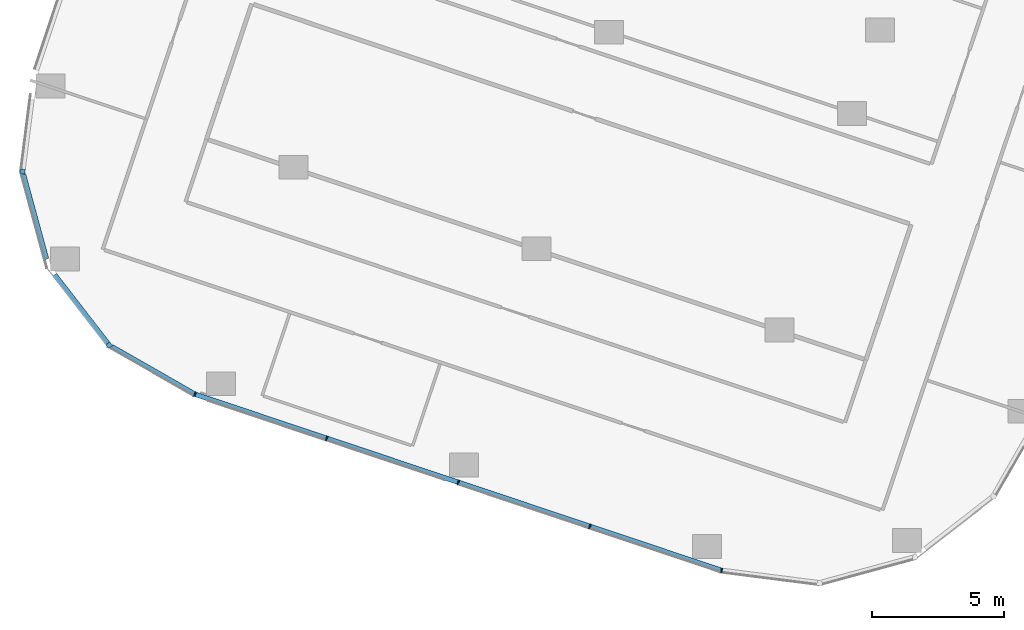
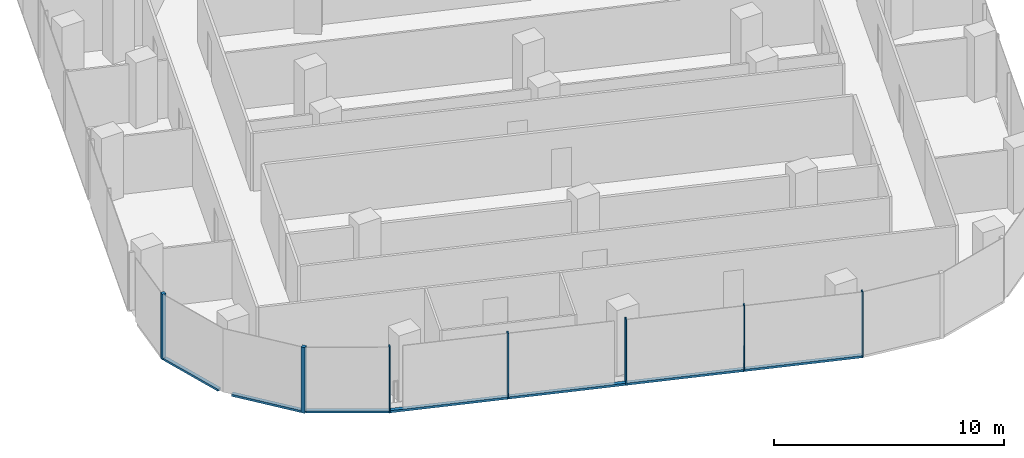
# One storey, part 2 of 26: 11 members, 5 elements without a shape of their own.
"""IFC4 building model written with IfcOpenShell, lengths in metres."""

from ifc_helpers import new_model, si_unit, direction, frame, origin, origin_2d, place, context, subcontext, project, spatial, rectangle, extrude, material, material_profile, profile_set, type_object, element, aggregate, save


model = new_model("IFC4")

# Units and contexts
model_context = context("Model", 3, precision=1e-05, world=origin(), true_north=direction((0.0, 1.0)))
body_context = subcontext(model_context, "Body", "Model", "MODEL_VIEW")
ifc_project = project(units=[si_unit("LENGTHUNIT", "METRE"), si_unit("AREAUNIT", "SQUARE_METRE"), si_unit("VOLUMEUNIT", "CUBIC_METRE"), si_unit("PLANEANGLEUNIT", "RADIAN"), si_unit("MASSUNIT", "GRAM", prefix="KILO")], contexts=[model_context])

# Site, building, storey
site_placement = place(None, origin())
site = spatial("IfcSite", under=ifc_project, at=site_placement, CompositionType="ELEMENT")
building_placement = place(site_placement, origin())
building = spatial("IfcBuilding", under=site, at=building_placement, Name="Orlundy Tower", CompositionType="ELEMENT")
storey_placement = place(building_placement, frame((0.0, 0.0, 156.10009765625)))
storey = spatial("IfcBuildingStorey", under=building, at=storey_placement, Name="L40", CompositionType="ELEMENT", Elevation=156.10009765625)

# Curtain wall, member
ifc_material_1 = material(Name="Aluminium bronze anodised", Category="aluminium")
curtain_wall_type = type_object("IfcCurtainWallType", Name="CW1 wall", PredefinedType="NOTDEFINED", material=ifc_material_1)
curtain_wall_1_placement = place(storey_placement, origin())
curtain_wall_1 = element("IfcCurtainWall", 1, at=curtain_wall_1_placement, inside=storey, type_object=curtain_wall_type, Name="CW1 run 025", PredefinedType="NOTDEFINED")
ifc_material_2 = material(Name="Aluminium bronze anodised", Category="aluminium")
ifc_material_profile_1 = material_profile(ifc_material_2, rectangle(XDim=0.179931640625, YDim=0.179931640625, at=origin_2d()), Name="CW1 corner post 180x180")
ifc_profile_set_1 = profile_set([ifc_material_profile_1], Name="Aluminium bronze anodised")
member_type_1 = type_object("IfcMemberType", Name="CW1 corner post 180x180", PredefinedType="MULLION", material=ifc_profile_set_1)
member_1_placement = place(storey_placement, frame((-32.115234375, -51.3232421875, -0.400146484375), z_axis=(0.0, 0.0, 1.0), x_axis=(-0.790614183516, -0.61231463548, 0.0)))
member_1 = element("IfcMember", 2, at=member_1_placement, type_object=member_type_1, Name="CW1 mullion 58", PredefinedType="MULLION", context=body_context, shape_type="SweptSolid", body=[
    extrude(rectangle(XDim=0.179931640625, YDim=0.179931640625, at=origin_2d()), origin(), (0.0, 0.0, 1.0), 3.5),
])

curtain_wall_2_placement = place(storey_placement, origin())
curtain_wall_2 = element("IfcCurtainWall", 3, at=curtain_wall_2_placement, inside=storey, type_object=curtain_wall_type, Name="CW1 run 027", PredefinedType="NOTDEFINED")
member_2_placement = place(storey_placement, frame((-35.390625, -44.75341796875, -0.400146484375), z_axis=(0.0, 0.0, 1.0), x_axis=(-0.992031053136, 0.125993609416, 0.0)))
member_2 = element("IfcMember", 4, at=member_2_placement, type_object=member_type_1, Name="CW1 mullion 60", PredefinedType="MULLION", context=body_context, shape_type="SweptSolid", body=[
    extrude(rectangle(XDim=0.179931640625, YDim=0.179931640625, at=origin_2d()), origin(), (0.0, 0.0, 1.0), 3.5),
])
aggregate(curtain_wall_2, [member_2])

# Curtain wall, members
curtain_wall_3_placement = place(storey_placement, origin())
curtain_wall_3 = element("IfcCurtainWall", 5, at=curtain_wall_3_placement, inside=storey, type_object=curtain_wall_type, Name="CW1 run 023", PredefinedType="NOTDEFINED")
ifc_material_3 = material(Name="Aluminium bronze anodised", Category="aluminium")
ifc_material_profile_2 = material_profile(ifc_material_3, rectangle(XDim=0.179931640625, YDim=0.050048828125, at=origin_2d()), Name="CW1 mullion 50x180")
ifc_profile_set_2 = profile_set([ifc_material_profile_2], Name="Aluminium bronze anodised")
member_type_2 = type_object("IfcMemberType", Name="CW1 mullion 50x180", PredefinedType="MULLION", material=ifc_profile_set_2)
member_3_placement = place(storey_placement, frame((-8.942138671875, -59.84521484375, -0.400146484375), z_axis=(0.0, 0.0, 1.0), x_axis=(-0.222844071431, -0.974854101816, 0.0)))
member_3 = element("IfcMember", 6, at=member_3_placement, type_object=member_type_2, Name="CW1 mullion 53", PredefinedType="MULLION", context=body_context, shape_type="SweptSolid", body=[
    extrude(rectangle(XDim=0.179931640625, YDim=0.050048828125, at=origin_2d()), origin(), (0.0, 0.0, 1.0), 3.5),
])
member_4_placement = place(storey_placement, frame((-13.92919921875, -58.176513671875, -0.400146484375), z_axis=(0.0, 0.0, 1.0), x_axis=(-0.317284709186, -0.948330329219, 0.0)))
member_4 = element("IfcMember", 7, at=member_4_placement, type_object=member_type_2, Name="CW1 mullion 54", PredefinedType="MULLION", context=body_context, shape_type="SweptSolid", body=[
    extrude(rectangle(XDim=0.179931640625, YDim=0.050048828125, at=origin_2d()), origin(), (0.0, 0.0, 1.0), 3.5),
])
member_5_placement = place(storey_placement, frame((-18.907958984375, -56.5107421875, -0.400146484375), z_axis=(0.0, 0.0, 1.0), x_axis=(-0.317284709186, -0.948330329219, 0.0)))
member_5 = element("IfcMember", 8, at=member_5_placement, type_object=member_type_2, Name="CW1 mullion 55", PredefinedType="MULLION", context=body_context, shape_type="SweptSolid", body=[
    extrude(rectangle(XDim=0.179931640625, YDim=0.050048828125, at=origin_2d()), origin(), (0.0, 0.0, 1.0), 3.5),
])
member_6_placement = place(storey_placement, frame((-23.88671875, -54.84521484375, -0.400146484375), z_axis=(0.0, 0.0, 1.0), x_axis=(-0.317284709186, -0.948330329219, 0.0)))
member_6 = element("IfcMember", 9, at=member_6_placement, type_object=member_type_2, Name="CW1 mullion 56", PredefinedType="MULLION", context=body_context, shape_type="SweptSolid", body=[
    extrude(rectangle(XDim=0.179931640625, YDim=0.050048828125, at=origin_2d()), origin(), (0.0, 0.0, 1.0), 3.5),
])

# Curtain wall, member
curtain_wall_4_placement = place(storey_placement, origin())
curtain_wall_4 = element("IfcCurtainWall", 10, at=curtain_wall_4_placement, inside=storey, type_object=curtain_wall_type, Name="CW1 run 024", PredefinedType="NOTDEFINED")
member_7_placement = place(storey_placement, frame((-28.8740234375, -53.176513671875, -0.400146484375), z_axis=(0.0, 0.0, 1.0), x_axis=(-0.408800504926, -0.912623770878, 0.0)))
member_7 = element("IfcMember", 11, at=member_7_placement, type_object=member_type_2, Name="CW1 mullion 57", PredefinedType="MULLION", context=body_context, shape_type="SweptSolid", body=[
    extrude(rectangle(XDim=0.179931640625, YDim=0.050048828125, at=origin_2d()), origin(), (0.0, 0.0, 1.0), 3.5),
])

# Member
ifc_material_4 = material(Name="Aluminium bronze anodised", Category="aluminium")
ifc_material_profile_3 = material_profile(ifc_material_4, rectangle(XDim=0.179931640625, YDim=0.1201171875, at=origin_2d()), Name="CW1 transom 180x120")
ifc_profile_set_3 = profile_set([ifc_material_profile_3], Name="Aluminium bronze anodised")
member_type_3 = type_object("IfcMemberType", Name="CW1 transom 180x120", PredefinedType="USERDEFINED", material=ifc_profile_set_3)
member_8_placement = place(storey_placement, frame((-8.966064453125, -59.837158203125, -0.340087890625), z_axis=(-0.948331068093, 0.317282500761, 0.0), x_axis=(-0.317282500761, -0.948331068093, 0.0)))
member_8 = element("IfcMember", 12, at=member_8_placement, type_object=member_type_3, Name="CW1 transom", ObjectType="TRANSOM", PredefinedType="USERDEFINED", context=body_context, shape_type="SweptSolid", body=[
    extrude(rectangle(XDim=0.179931640625, YDim=0.1201171875, at=origin_2d()), origin(), (0.0, 0.0, 1.0), 20.96728515625),
])

aggregate(curtain_wall_3, [member_3, member_4, member_5, member_6, member_8])

member_9_placement = place(storey_placement, frame((-28.895751953125, -53.1640625, -0.340087890625), z_axis=(-0.868118305062, 0.496357339441, 0.0), x_axis=(-0.496357339441, -0.868118305062, 0.0)))
member_9 = element("IfcMember", 13, at=member_9_placement, type_object=member_type_3, Name="CW1 transom", ObjectType="TRANSOM", PredefinedType="USERDEFINED", context=body_context, shape_type="SweptSolid", body=[
    extrude(rectangle(XDim=0.179931640625, YDim=0.1201171875, at=origin_2d()), origin(), (0.0, 0.0, 1.0), 3.611328125),
])

aggregate(curtain_wall_4, [member_7, member_9])

member_10_placement = place(storey_placement, frame((-32.17041015625, -51.252197265625, -0.340087890625), z_axis=(-0.612276659315, 0.790643593826, 0.0), x_axis=(-0.790643593826, -0.612276659315, 0.0)))
member_10 = element("IfcMember", 14, at=member_10_placement, type_object=member_type_3, Name="CW1 transom", ObjectType="TRANSOM", PredefinedType="USERDEFINED", context=body_context, shape_type="SweptSolid", body=[
    extrude(rectangle(XDim=0.179931640625, YDim=0.1201171875, at=origin_2d()), origin(), (0.0, 0.0, 1.0), 3.28369140625),
])

aggregate(curtain_wall_1, [member_1, member_10])

# Curtain wall, member
curtain_wall_5_placement = place(storey_placement, origin())
curtain_wall_5 = element("IfcCurtainWall", 15, at=curtain_wall_5_placement, inside=storey, type_object=curtain_wall_type, Name="CW1 run 026", PredefinedType="NOTDEFINED")
member_11_placement = place(storey_placement, frame((-34.488037109375, -48.067138671875, -0.340087890625), z_axis=(-0.262795481313, 0.964851561123, 0.0), x_axis=(-0.964851561123, -0.262795481313, 0.0)))
member_11 = element("IfcMember", 16, at=member_11_placement, type_object=member_type_3, Name="CW1 transom", ObjectType="TRANSOM", PredefinedType="USERDEFINED", context=body_context, shape_type="SweptSolid", body=[
    extrude(rectangle(XDim=0.179931640625, YDim=0.1201171875, at=origin_2d()), origin(), (0.0, 0.0, 1.0), 3.3369140625),
])
aggregate(curtain_wall_5, [member_11])

save(model, "model.ifc")
